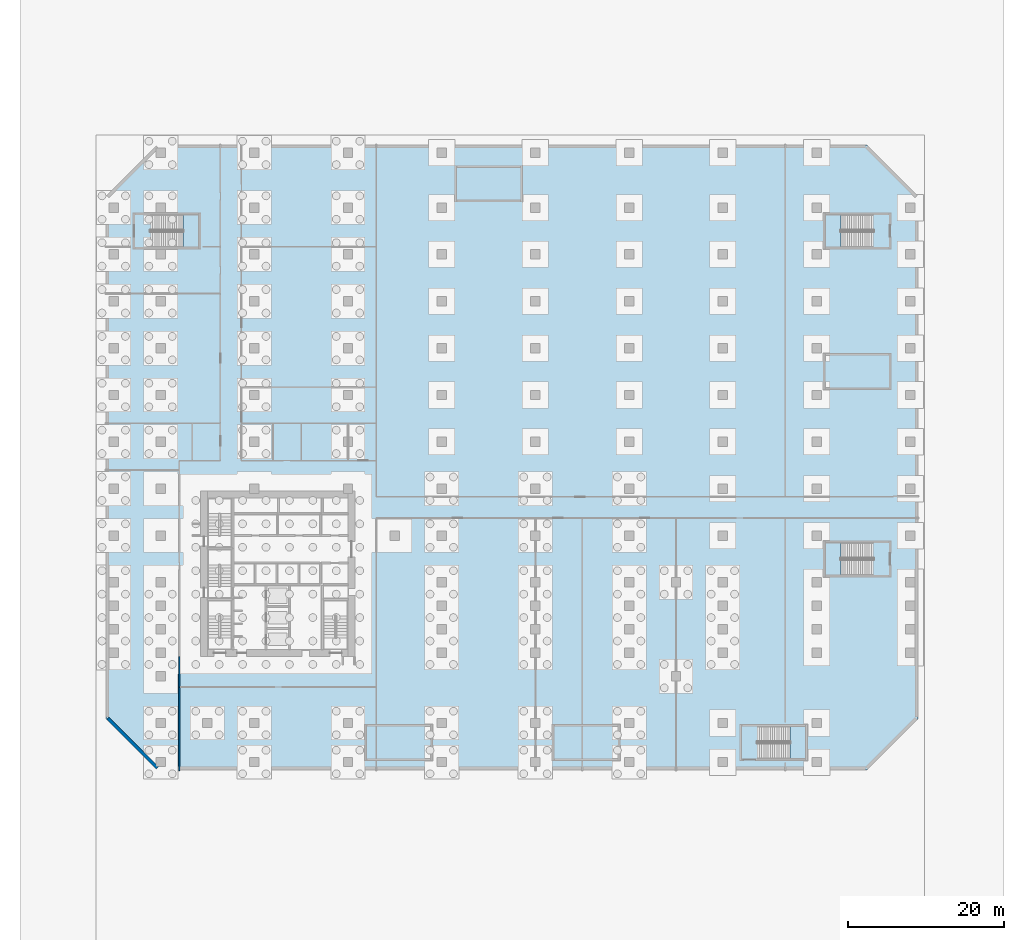
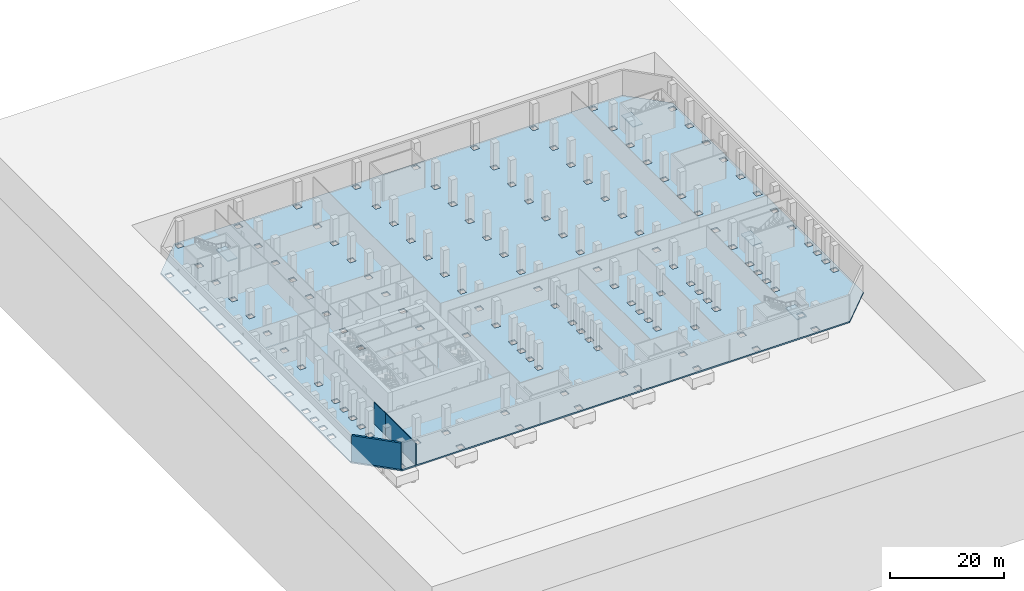
# One storey, part 4 of 16: 5 slabs, 3 walls, 4 elements without a shape of their own.
"""IFC4 building model written with IfcOpenShell, lengths in metres."""

from ifc_helpers import new_model, si_unit, direction, frame, frame_2d, origin, place, context, subcontext, project, spatial, polyline, rectangle, outline, extrude, material, layer, layer_set, type_object, element, aggregate, save


model = new_model("IFC4")

# Units and contexts
model_context = context("Model", 3, precision=1e-05, world=origin(), true_north=direction((0.0, 1.0)))
body_context = subcontext(model_context, "Body", "Model", "MODEL_VIEW")
ifc_project = project(units=[si_unit("LENGTHUNIT", "METRE"), si_unit("AREAUNIT", "SQUARE_METRE"), si_unit("VOLUMEUNIT", "CUBIC_METRE"), si_unit("PLANEANGLEUNIT", "RADIAN"), si_unit("MASSUNIT", "GRAM", prefix="KILO")], contexts=[model_context])

# Site, building, storey
site_placement = place(None, origin())
site = spatial("IfcSite", under=ifc_project, at=site_placement, CompositionType="ELEMENT")
building_placement = place(site_placement, origin())
building = spatial("IfcBuilding", under=site, at=building_placement, Name="Welwitschia Terrace Campus", CompositionType="ELEMENT")
storey_placement = place(building_placement, frame((0.0, 0.0, -6.0)))
storey = spatial("IfcBuildingStorey", under=building, at=storey_placement, Name="B1", CompositionType="ELEMENT", Elevation=-6.0)

# Slab
ifc_material_1 = material(Name="Concrete C40/50", Category="concrete")
ifc_layer_1 = layer(ifc_material_1, 0.300048828125)
ifc_layer_set_1 = layer_set([ifc_layer_1], Name="Concrete C40/50")
slab_type_1 = type_object("IfcSlabType", Name="Ground slab 300", PredefinedType="BASESLAB", material=ifc_layer_set_1)
slab_1_placement = place(storey_placement, frame((0.0, 0.0, -0.300048828125)))
element("IfcSlab", 1, at=slab_1_placement, inside=storey, type_object=slab_type_1, Name="Floor slab B1", PredefinedType="BASESLAB", context=body_context, shape_type="SweptSolid", body=[
    extrude(outline(polyline([(-7.0, -3.414306640625), (-7.0, 63.414306640625), (-0.414306640625, 70.0), (90.414306640625, 70.0), (97.0, 63.414306640625), (97.0, -3.414306640625), (90.414306640625, -10.0), (-0.414306640625, -10.0), (-7.0, -3.414306640625)]), holes=[polyline([(-0.60009765625, -8.39990234375), (-0.60009765625, -9.60009765625), (0.60009765625, -9.60009765625), (0.60009765625, -8.39990234375), (-0.60009765625, -8.39990234375)]), polyline([(5.39990234375, -3.39990234375), (5.39990234375, -4.60009765625), (6.60009765625, -4.60009765625), (6.60009765625, -3.39990234375), (5.39990234375, -3.39990234375)]), polyline([(-0.60009765625, -3.39990234375), (-0.60009765625, -4.60009765625), (0.60009765625, -4.60009765625), (0.60009765625, -3.39990234375), (-0.60009765625, -3.39990234375)]), polyline([(-0.60009765625, 2.60009765625), (-0.60009765625, 1.39990234375), (0.60009765625, 1.39990234375), (0.60009765625, 2.60009765625), (-0.60009765625, 2.60009765625)]), polyline([(-6.60009765625, 5.60009765625), (-6.60009765625, 4.39990234375), (-5.39990234375, 4.39990234375), (-5.39990234375, 5.60009765625), (-6.60009765625, 5.60009765625)]), polyline([(-0.60009765625, 5.60009765625), (-0.60009765625, 4.39990234375), (0.60009765625, 4.39990234375), (0.60009765625, 5.60009765625), (-0.60009765625, 5.60009765625)]), polyline([(-6.60009765625, 8.60009765625), (-6.60009765625, 7.39990234375), (-5.39990234375, 7.39990234375), (-5.39990234375, 8.60009765625), (-6.60009765625, 8.60009765625)]), polyline([(-0.60009765625, 8.60009765625), (-0.60009765625, 7.39990234375), (0.60009765625, 7.39990234375), (0.60009765625, 8.60009765625), (-0.60009765625, 8.60009765625)]), polyline([(-6.60009765625, 11.60009765625), (-6.60009765625, 10.39990234375), (-5.39990234375, 10.39990234375), (-5.39990234375, 11.60009765625), (-6.60009765625, 11.60009765625)]), polyline([(-0.60009765625, 11.60009765625), (-0.60009765625, 10.39990234375), (0.60009765625, 10.39990234375), (0.60009765625, 11.60009765625), (-0.60009765625, 11.60009765625)]), polyline([(-0.60009765625, 14.60009765625), (-0.60009765625, 13.39990234375), (0.60009765625, 13.39990234375), (0.60009765625, 14.60009765625), (-0.60009765625, 14.60009765625)]), polyline([(-6.60009765625, 14.60009765625), (-6.60009765625, 13.39990234375), (-5.39990234375, 13.39990234375), (-5.39990234375, 14.60009765625), (-6.60009765625, 14.60009765625)]), polyline([(-6.60009765625, 20.60009765625), (-6.60009765625, 19.39990234375), (-5.39990234375, 19.39990234375), (-5.39990234375, 20.60009765625), (-6.60009765625, 20.60009765625)]), polyline([(-0.60009765625, 20.60009765625), (-0.60009765625, 19.39990234375), (0.60009765625, 19.39990234375), (0.60009765625, 20.60009765625), (-0.60009765625, 20.60009765625)]), polyline([(-6.60009765625, 26.60009765625), (-6.60009765625, 25.39990234375), (-5.39990234375, 25.39990234375), (-5.39990234375, 26.60009765625), (-6.60009765625, 26.60009765625)]), polyline([(0.60009765625, 26.60009765625), (-0.60009765625, 26.60009765625), (-0.60009765625, 25.39990234375), (0.60009765625, 25.39990234375), (0.60009765625, 26.60009765625)]), polyline([(12.60009765625, 32.60009765625), (11.39990234375, 32.60009765625), (11.39990234375, 31.39990234375), (12.60009765625, 31.39990234375), (12.60009765625, 32.60009765625)]), polyline([(-0.60009765625, 32.60009765625), (-0.60009765625, 31.39990234375), (0.60009765625, 31.39990234375), (0.60009765625, 32.60009765625), (-0.60009765625, 32.60009765625)]), polyline([(-6.60009765625, 32.60009765625), (-6.60009765625, 31.39990234375), (-5.39990234375, 31.39990234375), (-5.39990234375, 32.60009765625), (-6.60009765625, 32.60009765625)]), polyline([(-0.60009765625, 38.60009765625), (-0.60009765625, 37.39990234375), (0.60009765625, 37.39990234375), (0.60009765625, 38.60009765625), (-0.60009765625, 38.60009765625)]), polyline([(-6.60009765625, 38.60009765625), (-6.60009765625, 37.39990234375), (-5.39990234375, 37.39990234375), (-5.39990234375, 38.60009765625), (-6.60009765625, 38.60009765625)]), polyline([(-0.60009765625, 44.60009765625), (-0.60009765625, 43.39990234375), (0.60009765625, 43.39990234375), (0.60009765625, 44.60009765625), (-0.60009765625, 44.60009765625)]), polyline([(11.39990234375, 44.60009765625), (11.39990234375, 43.39990234375), (12.60009765625, 43.39990234375), (12.60009765625, 44.60009765625), (11.39990234375, 44.60009765625)]), polyline([(-6.60009765625, 44.60009765625), (-6.60009765625, 43.39990234375), (-5.39990234375, 43.39990234375), (-5.39990234375, 44.60009765625), (-6.60009765625, 44.60009765625)]), polyline([(-6.60009765625, 50.60009765625), (-6.60009765625, 49.39990234375), (-5.39990234375, 49.39990234375), (-5.39990234375, 50.60009765625), (-6.60009765625, 50.60009765625)]), polyline([(11.39990234375, 50.60009765625), (11.39990234375, 49.39990234375), (12.60009765625, 49.39990234375), (12.60009765625, 50.60009765625), (11.39990234375, 50.60009765625)]), polyline([(-0.60009765625, 50.60009765625), (-0.60009765625, 49.39990234375), (0.60009765625, 49.39990234375), (0.60009765625, 50.60009765625), (-0.60009765625, 50.60009765625)]), polyline([(-0.60009765625, 56.60009765625), (-0.60009765625, 55.39990234375), (0.60009765625, 55.39990234375), (0.60009765625, 56.60009765625), (-0.60009765625, 56.60009765625)]), polyline([(-6.60009765625, 56.60009765625), (-6.60009765625, 55.39990234375), (-5.39990234375, 55.39990234375), (-5.39990234375, 56.60009765625), (-6.60009765625, 56.60009765625)]), polyline([(11.39990234375, 56.60009765625), (11.39990234375, 55.39990234375), (12.60009765625, 55.39990234375), (12.60009765625, 56.60009765625), (11.39990234375, 56.60009765625)]), polyline([(-0.60009765625, 62.60009765625), (-0.60009765625, 61.39990234375), (0.60009765625, 61.39990234375), (0.60009765625, 62.60009765625), (-0.60009765625, 62.60009765625)]), polyline([(11.39990234375, 62.60009765625), (11.39990234375, 61.39990234375), (12.60009765625, 61.39990234375), (12.60009765625, 62.60009765625), (11.39990234375, 62.60009765625)]), polyline([(-5.39990234375, 62.60009765625), (-6.60009765625, 62.60009765625), (-6.60009765625, 61.39990234375), (-5.39990234375, 61.39990234375), (-5.39990234375, 62.60009765625)]), polyline([(0.60009765625, 69.60009765625), (-0.60009765625, 69.60009765625), (-0.60009765625, 68.39990234375), (0.60009765625, 68.39990234375), (0.60009765625, 69.60009765625)]), polyline([(11.39990234375, 69.60009765625), (11.39990234375, 68.39990234375), (12.60009765625, 68.39990234375), (12.60009765625, 69.60009765625), (11.39990234375, 69.60009765625)]), polyline([(11.39990234375, -8.39990234375), (11.39990234375, -9.60009765625), (12.60009765625, -9.60009765625), (12.60009765625, -8.39990234375), (11.39990234375, -8.39990234375)]), polyline([(35.39990234375, -8.39990234375), (35.39990234375, -9.60009765625), (36.60009765625, -9.60009765625), (36.60009765625, -8.39990234375), (35.39990234375, -8.39990234375)]), polyline([(23.39990234375, -8.39990234375), (23.39990234375, -9.60009765625), (24.60009765625, -9.60009765625), (24.60009765625, -8.39990234375), (23.39990234375, -8.39990234375)]), polyline([(11.39990234375, -3.39990234375), (11.39990234375, -4.60009765625), (12.60009765625, -4.60009765625), (12.60009765625, -3.39990234375), (11.39990234375, -3.39990234375)]), polyline([(35.39990234375, -3.39990234375), (35.39990234375, -4.60009765625), (36.60009765625, -4.60009765625), (36.60009765625, -3.39990234375), (35.39990234375, -3.39990234375)]), polyline([(23.39990234375, -3.39990234375), (23.39990234375, -4.60009765625), (24.60009765625, -4.60009765625), (24.60009765625, -3.39990234375), (23.39990234375, -3.39990234375)]), polyline([(35.39990234375, 5.60009765625), (35.39990234375, 4.39990234375), (36.60009765625, 4.39990234375), (36.60009765625, 5.60009765625), (35.39990234375, 5.60009765625)]), polyline([(35.39990234375, 8.60009765625), (35.39990234375, 7.39990234375), (36.60009765625, 7.39990234375), (36.60009765625, 8.60009765625), (35.39990234375, 8.60009765625)]), polyline([(47.39990234375, 11.60009765625), (47.39990234375, 10.39990234375), (48.60009765625, 10.39990234375), (48.60009765625, 11.60009765625), (47.39990234375, 11.60009765625)]), polyline([(35.39990234375, 11.60009765625), (35.39990234375, 10.39990234375), (36.60009765625, 10.39990234375), (36.60009765625, 11.60009765625), (35.39990234375, 11.60009765625)]), polyline([(35.39990234375, 14.60009765625), (35.39990234375, 13.39990234375), (36.60009765625, 13.39990234375), (36.60009765625, 14.60009765625), (35.39990234375, 14.60009765625)]), polyline([(35.39990234375, 20.60009765625), (35.39990234375, 19.39990234375), (36.60009765625, 19.39990234375), (36.60009765625, 20.60009765625), (35.39990234375, 20.60009765625)]), polyline([(29.39990234375, 20.60009765625), (29.39990234375, 19.39990234375), (30.60009765625, 19.39990234375), (30.60009765625, 20.60009765625), (29.39990234375, 20.60009765625)]), polyline([(11.39990234375, 26.60009765625), (11.39990234375, 25.39990234375), (12.60009765625, 25.39990234375), (12.60009765625, 26.60009765625), (11.39990234375, 26.60009765625)]), polyline([(36.60009765625, 26.60009765625), (35.39990234375, 26.60009765625), (35.39990234375, 25.39990234375), (36.60009765625, 25.39990234375), (36.60009765625, 26.60009765625)]), polyline([(24.60009765625, 26.60009765625), (23.39990234375, 26.60009765625), (23.39990234375, 25.39990234375), (24.60009765625, 25.39990234375), (24.60009765625, 26.60009765625)]), polyline([(23.39990234375, 32.60009765625), (23.39990234375, 31.39990234375), (24.60009765625, 31.39990234375), (24.60009765625, 32.60009765625), (23.39990234375, 32.60009765625)]), polyline([(35.39990234375, 32.60009765625), (35.39990234375, 31.39990234375), (36.60009765625, 31.39990234375), (36.60009765625, 32.60009765625), (35.39990234375, 32.60009765625)]), polyline([(11.39990234375, 38.60009765625), (11.39990234375, 37.39990234375), (12.60009765625, 37.39990234375), (12.60009765625, 38.60009765625), (11.39990234375, 38.60009765625)]), polyline([(23.39990234375, 38.60009765625), (23.39990234375, 37.39990234375), (24.60009765625, 37.39990234375), (24.60009765625, 38.60009765625), (23.39990234375, 38.60009765625)]), polyline([(35.39990234375, 38.60009765625), (35.39990234375, 37.39990234375), (36.60009765625, 37.39990234375), (36.60009765625, 38.60009765625), (35.39990234375, 38.60009765625)]), polyline([(23.39990234375, 44.60009765625), (23.39990234375, 43.39990234375), (24.60009765625, 43.39990234375), (24.60009765625, 44.60009765625), (23.39990234375, 44.60009765625)]), polyline([(35.39990234375, 44.60009765625), (35.39990234375, 43.39990234375), (36.60009765625, 43.39990234375), (36.60009765625, 44.60009765625), (35.39990234375, 44.60009765625)]), polyline([(36.60009765625, 50.60009765625), (35.39990234375, 50.60009765625), (35.39990234375, 49.39990234375), (36.60009765625, 49.39990234375), (36.60009765625, 50.60009765625)]), polyline([(24.60009765625, 50.60009765625), (23.39990234375, 50.60009765625), (23.39990234375, 49.39990234375), (24.60009765625, 49.39990234375), (24.60009765625, 50.60009765625)]), polyline([(47.39990234375, 50.60009765625), (47.39990234375, 49.39990234375), (48.60009765625, 49.39990234375), (48.60009765625, 50.60009765625), (47.39990234375, 50.60009765625)]), polyline([(35.39990234375, 56.60009765625), (35.39990234375, 55.39990234375), (36.60009765625, 55.39990234375), (36.60009765625, 56.60009765625), (35.39990234375, 56.60009765625)]), polyline([(23.39990234375, 56.60009765625), (23.39990234375, 55.39990234375), (24.60009765625, 55.39990234375), (24.60009765625, 56.60009765625), (23.39990234375, 56.60009765625)]), polyline([(47.39990234375, 56.60009765625), (47.39990234375, 55.39990234375), (48.60009765625, 55.39990234375), (48.60009765625, 56.60009765625), (47.39990234375, 56.60009765625)]), polyline([(35.39990234375, 62.60009765625), (35.39990234375, 61.39990234375), (36.60009765625, 61.39990234375), (36.60009765625, 62.60009765625), (35.39990234375, 62.60009765625)]), polyline([(23.39990234375, 62.60009765625), (23.39990234375, 61.39990234375), (24.60009765625, 61.39990234375), (24.60009765625, 62.60009765625), (23.39990234375, 62.60009765625)]), polyline([(47.39990234375, 62.60009765625), (47.39990234375, 61.39990234375), (48.60009765625, 61.39990234375), (48.60009765625, 62.60009765625), (47.39990234375, 62.60009765625)]), polyline([(24.60009765625, 69.60009765625), (23.39990234375, 69.60009765625), (23.39990234375, 68.39990234375), (24.60009765625, 68.39990234375), (24.60009765625, 69.60009765625)]), polyline([(48.60009765625, 69.60009765625), (47.39990234375, 69.60009765625), (47.39990234375, 68.39990234375), (48.60009765625, 68.39990234375), (48.60009765625, 69.60009765625)]), polyline([(35.39990234375, 69.60009765625), (35.39990234375, 68.39990234375), (36.60009765625, 68.39990234375), (36.60009765625, 69.60009765625), (35.39990234375, 69.60009765625)]), polyline([(47.39990234375, -8.39990234375), (47.39990234375, -9.60009765625), (48.60009765625, -9.60009765625), (48.60009765625, -8.39990234375), (47.39990234375, -8.39990234375)]), polyline([(59.39990234375, -8.39990234375), (59.39990234375, -9.60009765625), (60.60009765625, -9.60009765625), (60.60009765625, -8.39990234375), (59.39990234375, -8.39990234375)]), polyline([(47.39990234375, -3.39990234375), (47.39990234375, -4.60009765625), (48.60009765625, -4.60009765625), (48.60009765625, -3.39990234375), (47.39990234375, -3.39990234375)]), polyline([(59.39990234375, -3.39990234375), (59.39990234375, -4.60009765625), (60.60009765625, -4.60009765625), (60.60009765625, -3.39990234375), (59.39990234375, -3.39990234375)]), polyline([(65.39990234375, 2.60009765625), (65.39990234375, 1.39990234375), (66.60009765625, 1.39990234375), (66.60009765625, 2.60009765625), (65.39990234375, 2.60009765625)]), polyline([(47.39990234375, 5.60009765625), (47.39990234375, 4.39990234375), (48.60009765625, 4.39990234375), (48.60009765625, 5.60009765625), (47.39990234375, 5.60009765625)]), polyline([(59.39990234375, 5.60009765625), (59.39990234375, 4.39990234375), (60.60009765625, 4.39990234375), (60.60009765625, 5.60009765625), (59.39990234375, 5.60009765625)]), polyline([(47.39990234375, 8.60009765625), (47.39990234375, 7.39990234375), (48.60009765625, 7.39990234375), (48.60009765625, 8.60009765625), (47.39990234375, 8.60009765625)]), polyline([(59.39990234375, 8.60009765625), (59.39990234375, 7.39990234375), (60.60009765625, 7.39990234375), (60.60009765625, 8.60009765625), (59.39990234375, 8.60009765625)]), polyline([(59.39990234375, 11.60009765625), (59.39990234375, 10.39990234375), (60.60009765625, 10.39990234375), (60.60009765625, 11.60009765625), (59.39990234375, 11.60009765625)]), polyline([(59.39990234375, 14.60009765625), (59.39990234375, 13.39990234375), (60.60009765625, 13.39990234375), (60.60009765625, 14.60009765625), (59.39990234375, 14.60009765625)]), polyline([(65.39990234375, 14.60009765625), (65.39990234375, 13.39990234375), (66.60009765625, 13.39990234375), (66.60009765625, 14.60009765625), (65.39990234375, 14.60009765625)]), polyline([(47.39990234375, 14.60009765625), (47.39990234375, 13.39990234375), (48.60009765625, 13.39990234375), (48.60009765625, 14.60009765625), (47.39990234375, 14.60009765625)]), polyline([(59.39990234375, 20.60009765625), (59.39990234375, 19.39990234375), (60.60009765625, 19.39990234375), (60.60009765625, 20.60009765625), (59.39990234375, 20.60009765625)]), polyline([(48.60009765625, 20.60009765625), (47.39990234375, 20.60009765625), (47.39990234375, 19.39990234375), (48.60009765625, 19.39990234375), (48.60009765625, 20.60009765625)]), polyline([(72.60009765625, 20.60009765625), (71.39990234375, 20.60009765625), (71.39990234375, 19.39990234375), (72.60009765625, 19.39990234375), (72.60009765625, 20.60009765625)]), polyline([(59.39990234375, 26.60009765625), (59.39990234375, 25.39990234375), (60.60009765625, 25.39990234375), (60.60009765625, 26.60009765625), (59.39990234375, 26.60009765625)]), polyline([(47.39990234375, 26.60009765625), (47.39990234375, 25.39990234375), (48.60009765625, 25.39990234375), (48.60009765625, 26.60009765625), (47.39990234375, 26.60009765625)]), polyline([(71.39990234375, 32.60009765625), (71.39990234375, 31.39990234375), (72.60009765625, 31.39990234375), (72.60009765625, 32.60009765625), (71.39990234375, 32.60009765625)]), polyline([(47.39990234375, 32.60009765625), (47.39990234375, 31.39990234375), (48.60009765625, 31.39990234375), (48.60009765625, 32.60009765625), (47.39990234375, 32.60009765625)]), polyline([(59.39990234375, 32.60009765625), (59.39990234375, 31.39990234375), (60.60009765625, 31.39990234375), (60.60009765625, 32.60009765625), (59.39990234375, 32.60009765625)]), polyline([(47.39990234375, 38.60009765625), (47.39990234375, 37.39990234375), (48.60009765625, 37.39990234375), (48.60009765625, 38.60009765625), (47.39990234375, 38.60009765625)]), polyline([(71.39990234375, 38.60009765625), (71.39990234375, 37.39990234375), (72.60009765625, 37.39990234375), (72.60009765625, 38.60009765625), (71.39990234375, 38.60009765625)]), polyline([(60.60009765625, 38.60009765625), (59.39990234375, 38.60009765625), (59.39990234375, 37.39990234375), (60.60009765625, 37.39990234375), (60.60009765625, 38.60009765625)]), polyline([(60.60009765625, 44.60009765625), (59.39990234375, 44.60009765625), (59.39990234375, 43.39990234375), (60.60009765625, 43.39990234375), (60.60009765625, 44.60009765625)]), polyline([(71.39990234375, 44.60009765625), (71.39990234375, 43.39990234375), (72.60009765625, 43.39990234375), (72.60009765625, 44.60009765625), (71.39990234375, 44.60009765625)]), polyline([(47.39990234375, 44.60009765625), (47.39990234375, 43.39990234375), (48.60009765625, 43.39990234375), (48.60009765625, 44.60009765625), (47.39990234375, 44.60009765625)]), polyline([(59.39990234375, 50.60009765625), (59.39990234375, 49.39990234375), (60.60009765625, 49.39990234375), (60.60009765625, 50.60009765625), (59.39990234375, 50.60009765625)]), polyline([(71.39990234375, 50.60009765625), (71.39990234375, 49.39990234375), (72.60009765625, 49.39990234375), (72.60009765625, 50.60009765625), (71.39990234375, 50.60009765625)]), polyline([(59.39990234375, 56.60009765625), (59.39990234375, 55.39990234375), (60.60009765625, 55.39990234375), (60.60009765625, 56.60009765625), (59.39990234375, 56.60009765625)]), polyline([(71.39990234375, 56.60009765625), (71.39990234375, 55.39990234375), (72.60009765625, 55.39990234375), (72.60009765625, 56.60009765625), (71.39990234375, 56.60009765625)]), polyline([(59.39990234375, 62.60009765625), (59.39990234375, 61.39990234375), (60.60009765625, 61.39990234375), (60.60009765625, 62.60009765625), (59.39990234375, 62.60009765625)]), polyline([(72.60009765625, 62.60009765625), (71.39990234375, 62.60009765625), (71.39990234375, 61.39990234375), (72.60009765625, 61.39990234375), (72.60009765625, 62.60009765625)]), polyline([(60.60009765625, 69.60009765625), (59.39990234375, 69.60009765625), (59.39990234375, 68.39990234375), (60.60009765625, 68.39990234375), (60.60009765625, 69.60009765625)]), polyline([(71.39990234375, 69.60009765625), (71.39990234375, 68.39990234375), (72.60009765625, 68.39990234375), (72.60009765625, 69.60009765625), (71.39990234375, 69.60009765625)]), polyline([(71.39990234375, -8.39990234375), (71.39990234375, -9.60009765625), (72.60009765625, -9.60009765625), (72.60009765625, -8.39990234375), (71.39990234375, -8.39990234375)]), polyline([(83.39990234375, -8.39990234375), (83.39990234375, -9.60009765625), (84.60009765625, -9.60009765625), (84.60009765625, -8.39990234375), (83.39990234375, -8.39990234375)]), polyline([(71.39990234375, -3.39990234375), (71.39990234375, -4.60009765625), (72.60009765625, -4.60009765625), (72.60009765625, -3.39990234375), (71.39990234375, -3.39990234375)]), polyline([(83.39990234375, -3.39990234375), (83.39990234375, -4.60009765625), (84.60009765625, -4.60009765625), (84.60009765625, -3.39990234375), (83.39990234375, -3.39990234375)]), polyline([(95.39990234375, 5.60009765625), (95.39990234375, 4.39990234375), (96.60009765625, 4.39990234375), (96.60009765625, 5.60009765625), (95.39990234375, 5.60009765625)]), polyline([(71.39990234375, 5.60009765625), (71.39990234375, 4.39990234375), (72.60009765625, 4.39990234375), (72.60009765625, 5.60009765625), (71.39990234375, 5.60009765625)]), polyline([(83.39990234375, 5.60009765625), (83.39990234375, 4.39990234375), (84.60009765625, 4.39990234375), (84.60009765625, 5.60009765625), (83.39990234375, 5.60009765625)]), polyline([(83.39990234375, 8.60009765625), (83.39990234375, 7.39990234375), (84.60009765625, 7.39990234375), (84.60009765625, 8.60009765625), (83.39990234375, 8.60009765625)]), polyline([(95.39990234375, 8.60009765625), (95.39990234375, 7.39990234375), (96.60009765625, 7.39990234375), (96.60009765625, 8.60009765625), (95.39990234375, 8.60009765625)]), polyline([(71.39990234375, 8.60009765625), (71.39990234375, 7.39990234375), (72.60009765625, 7.39990234375), (72.60009765625, 8.60009765625), (71.39990234375, 8.60009765625)]), polyline([(71.39990234375, 11.60009765625), (71.39990234375, 10.39990234375), (72.60009765625, 10.39990234375), (72.60009765625, 11.60009765625), (71.39990234375, 11.60009765625)]), polyline([(95.39990234375, 11.60009765625), (95.39990234375, 10.39990234375), (96.60009765625, 10.39990234375), (96.60009765625, 11.60009765625), (95.39990234375, 11.60009765625)]), polyline([(83.39990234375, 11.60009765625), (83.39990234375, 10.39990234375), (84.60009765625, 10.39990234375), (84.60009765625, 11.60009765625), (83.39990234375, 11.60009765625)]), polyline([(95.39990234375, 14.60009765625), (95.39990234375, 13.39990234375), (96.60009765625, 13.39990234375), (96.60009765625, 14.60009765625), (95.39990234375, 14.60009765625)]), polyline([(84.60009765625, 14.60009765625), (83.39990234375, 14.60009765625), (83.39990234375, 13.39990234375), (84.60009765625, 13.39990234375), (84.60009765625, 14.60009765625)]), polyline([(72.60009765625, 14.60009765625), (71.39990234375, 14.60009765625), (71.39990234375, 13.39990234375), (72.60009765625, 13.39990234375), (72.60009765625, 14.60009765625)]), polyline([(83.39990234375, 20.60009765625), (83.39990234375, 19.39990234375), (84.60009765625, 19.39990234375), (84.60009765625, 20.60009765625), (83.39990234375, 20.60009765625)]), polyline([(95.39990234375, 20.60009765625), (95.39990234375, 19.39990234375), (96.60009765625, 19.39990234375), (96.60009765625, 20.60009765625), (95.39990234375, 20.60009765625)]), polyline([(83.39990234375, 26.60009765625), (83.39990234375, 25.39990234375), (84.60009765625, 25.39990234375), (84.60009765625, 26.60009765625), (83.39990234375, 26.60009765625)]), polyline([(95.39990234375, 26.60009765625), (95.39990234375, 25.39990234375), (96.60009765625, 25.39990234375), (96.60009765625, 26.60009765625), (95.39990234375, 26.60009765625)]), polyline([(71.39990234375, 26.60009765625), (71.39990234375, 25.39990234375), (72.60009765625, 25.39990234375), (72.60009765625, 26.60009765625), (71.39990234375, 26.60009765625)]), polyline([(95.39990234375, 32.60009765625), (95.39990234375, 31.39990234375), (96.60009765625, 31.39990234375), (96.60009765625, 32.60009765625), (95.39990234375, 32.60009765625)]), polyline([(83.39990234375, 32.60009765625), (83.39990234375, 31.39990234375), (84.60009765625, 31.39990234375), (84.60009765625, 32.60009765625), (83.39990234375, 32.60009765625)]), polyline([(96.60009765625, 38.60009765625), (95.39990234375, 38.60009765625), (95.39990234375, 37.39990234375), (96.60009765625, 37.39990234375), (96.60009765625, 38.60009765625)]), polyline([(84.60009765625, 38.60009765625), (83.39990234375, 38.60009765625), (83.39990234375, 37.39990234375), (84.60009765625, 37.39990234375), (84.60009765625, 38.60009765625)]), polyline([(95.39990234375, 44.60009765625), (95.39990234375, 43.39990234375), (96.60009765625, 43.39990234375), (96.60009765625, 44.60009765625), (95.39990234375, 44.60009765625)]), polyline([(83.39990234375, 44.60009765625), (83.39990234375, 43.39990234375), (84.60009765625, 43.39990234375), (84.60009765625, 44.60009765625), (83.39990234375, 44.60009765625)]), polyline([(95.39990234375, 50.60009765625), (95.39990234375, 49.39990234375), (96.60009765625, 49.39990234375), (96.60009765625, 50.60009765625), (95.39990234375, 50.60009765625)]), polyline([(83.39990234375, 50.60009765625), (83.39990234375, 49.39990234375), (84.60009765625, 49.39990234375), (84.60009765625, 50.60009765625), (83.39990234375, 50.60009765625)]), polyline([(95.39990234375, 56.60009765625), (95.39990234375, 55.39990234375), (96.60009765625, 55.39990234375), (96.60009765625, 56.60009765625), (95.39990234375, 56.60009765625)]), polyline([(83.39990234375, 56.60009765625), (83.39990234375, 55.39990234375), (84.60009765625, 55.39990234375), (84.60009765625, 56.60009765625), (83.39990234375, 56.60009765625)]), polyline([(83.39990234375, 62.60009765625), (83.39990234375, 61.39990234375), (84.60009765625, 61.39990234375), (84.60009765625, 62.60009765625), (83.39990234375, 62.60009765625)]), polyline([(96.60009765625, 62.60009765625), (95.39990234375, 62.60009765625), (95.39990234375, 61.39990234375), (96.60009765625, 61.39990234375), (96.60009765625, 62.60009765625)]), polyline([(84.60009765625, 69.60009765625), (83.39990234375, 69.60009765625), (83.39990234375, 68.39990234375), (84.60009765625, 68.39990234375), (84.60009765625, 69.60009765625)])]), origin(), (0.0, 0.0, 1.0), 0.300048828125),
])

# Stair, slab
ifc_material_2 = material(Name="Concrete C40/50", Category="concrete")
stair_type = type_object("IfcStairType", Name="Stair 32R 188 W2000", PredefinedType="HALF_TURN_STAIR", material=ifc_material_2)
stair_1_placement = place(storey_placement, origin())
stair_1 = element("IfcStair", 2, at=stair_1_placement, inside=storey, type_object=stair_type, Name="B1 Podium stair P3", PredefinedType="HALF_TURN_STAIR")
ifc_material_3 = material(Name="Concrete C40/50", Category="concrete")
ifc_layer_2 = layer(ifc_material_3, 0.199951171875)
ifc_layer_set_2 = layer_set([ifc_layer_2], Name="Concrete C40/50")
slab_type_2 = type_object("IfcSlabType", Name="Stair landing RC", PredefinedType="LANDING", material=ifc_layer_set_2)
slab_2_placement = place(storey_placement, frame((0.0, 0.0, 2.800048828125)))
slab_2 = element("IfcSlab", 3, at=slab_2_placement, type_object=slab_type_2, Name="P3 landing 1", PredefinedType="LANDING", context=body_context, shape_type="SweptSolid", body=[
    extrude(outline(polyline([(87.10009765625, 61.074951171875), (85.10009765625, 61.074951171875), (85.10009765625, 56.925048828125), (87.10009765625, 56.925048828125), (87.10009765625, 61.074951171875)])), origin(), (0.0, 0.0, 1.0), 0.199951171875),
])
aggregate(stair_1, [slab_2])

stair_2_placement = place(storey_placement, origin())
stair_2 = element("IfcStair", 4, at=stair_2_placement, inside=storey, type_object=stair_type, Name="B1 Podium stair P4", PredefinedType="HALF_TURN_STAIR")
slab_3_placement = place(storey_placement, frame((0.0, 0.0, 2.800048828125)))
slab_3 = element("IfcSlab", 5, at=slab_3_placement, type_object=slab_type_2, Name="P4 landing 1", PredefinedType="LANDING", context=body_context, shape_type="SweptSolid", body=[
    extrude(outline(polyline([(2.89990234375, 56.925048828125), (4.89990234375, 56.925048828125), (4.89990234375, 61.074951171875), (2.89990234375, 61.074951171875), (2.89990234375, 56.925048828125)])), origin(), (0.0, 0.0, 1.0), 0.199951171875),
])
aggregate(stair_2, [slab_3])

stair_3_placement = place(storey_placement, origin())
stair_3 = element("IfcStair", 6, at=stair_3_placement, inside=storey, type_object=stair_type, Name="B1 Podium stair P5", PredefinedType="HALF_TURN_STAIR")
slab_4_placement = place(storey_placement, frame((0.0, 0.0, 2.800048828125)))
slab_4 = element("IfcSlab", 7, at=slab_4_placement, type_object=slab_type_2, Name="P5 landing 1", PredefinedType="LANDING", context=body_context, shape_type="SweptSolid", body=[
    extrude(outline(polyline([(80.60009765625, -8.574951171875), (82.60009765625, -8.574951171875), (82.60009765625, -4.425048828125), (80.60009765625, -4.425048828125), (80.60009765625, -8.574951171875)])), origin(), (0.0, 0.0, 1.0), 0.199951171875),
])
aggregate(stair_3, [slab_4])

stair_4_placement = place(storey_placement, origin())
stair_4 = element("IfcStair", 8, at=stair_4_placement, inside=storey, type_object=stair_type, Name="B1 Podium stair P6", PredefinedType="HALF_TURN_STAIR")
slab_5_placement = place(storey_placement, frame((0.0, 0.0, 2.800048828125)))
slab_5 = element("IfcSlab", 9, at=slab_5_placement, type_object=slab_type_2, Name="P6 landing 1", PredefinedType="LANDING", context=body_context, shape_type="SweptSolid", body=[
    extrude(outline(polyline([(87.10009765625, 19.074951171875), (85.10009765625, 19.074951171875), (85.10009765625, 14.925048828125), (87.10009765625, 14.925048828125), (87.10009765625, 19.074951171875)])), origin(), (0.0, 0.0, 1.0), 0.199951171875),
])
aggregate(stair_4, [slab_5])

# Walls
ifc_material_4 = material(Name="Gypsum board on steel studs", Category="steel")
ifc_layer_3 = layer(ifc_material_4, 0.14990234375)
ifc_layer_set_3 = layer_set([ifc_layer_3], Name="Gypsum board on steel studs")
wall_type_1 = type_object("IfcWallType", Name="Corridor partition 150 EI 30", PredefinedType="PARTITIONING", material=ifc_layer_set_3)
wall_1_placement = place(storey_placement, frame((2.39990234375, -10.090087890625, 0.0), z_axis=(0.0, 0.0, 1.0), x_axis=(0.0, 1.0, 0.0)))
element("IfcWall", 10, at=wall_1_placement, inside=storey, type_object=wall_type_1, Name="Partition", PredefinedType="PARTITIONING", context=body_context, shape_type="SweptSolid", body=[
    extrude(rectangle(XDim=10.690185546875, YDim=0.14990234375, at=frame_2d((5.34521484375, 0.0))), origin(), (0.0, 0.0, 1.0), 4.699951171875),
])
wall_2_placement = place(storey_placement, frame((2.39990234375, 0.60009765625, 0.0), z_axis=(0.0, 0.0, 1.0), x_axis=(0.0, 1.0, 0.0)))
element("IfcWall", 11, at=wall_2_placement, inside=storey, type_object=wall_type_1, Name="Partition", PredefinedType="PARTITIONING", context=body_context, shape_type="SweptSolid", body=[
    extrude(rectangle(XDim=3.89990234375, YDim=0.14990234375, at=frame_2d((1.949951171875, 0.0))), origin(), (0.0, 0.0, 1.0), 4.699951171875),
])
ifc_material_5 = material(Name="Concrete C40/50", Category="concrete")
ifc_layer_4 = layer(ifc_material_5, 0.39990234375)
ifc_layer_set_4 = layer_set([ifc_layer_4], Name="Concrete C40/50")
wall_type_2 = type_object("IfcWallType", Name="Retaining wall 400", PredefinedType="SOLIDWALL", material=ifc_layer_set_4)
wall_3_placement = place(storey_placement, frame((-6.741455078125, -3.389892578125, 0.0), z_axis=(0.0, 0.0, 1.0), x_axis=(0.707106781187, -0.707106781187, 0.0)))
element("IfcWall", 12, at=wall_3_placement, inside=storey, type_object=wall_type_2, Name="Basement retaining wall 8", PredefinedType="SOLIDWALL", context=body_context, shape_type="SweptSolid", body=[
    extrude(rectangle(XDim=8.982421875, YDim=0.39990234375, at=frame_2d((4.4912109375, 0.0))), origin(), (0.0, 0.0, 1.0), 5.64990234375),
])

save(model, "model.ifc")
